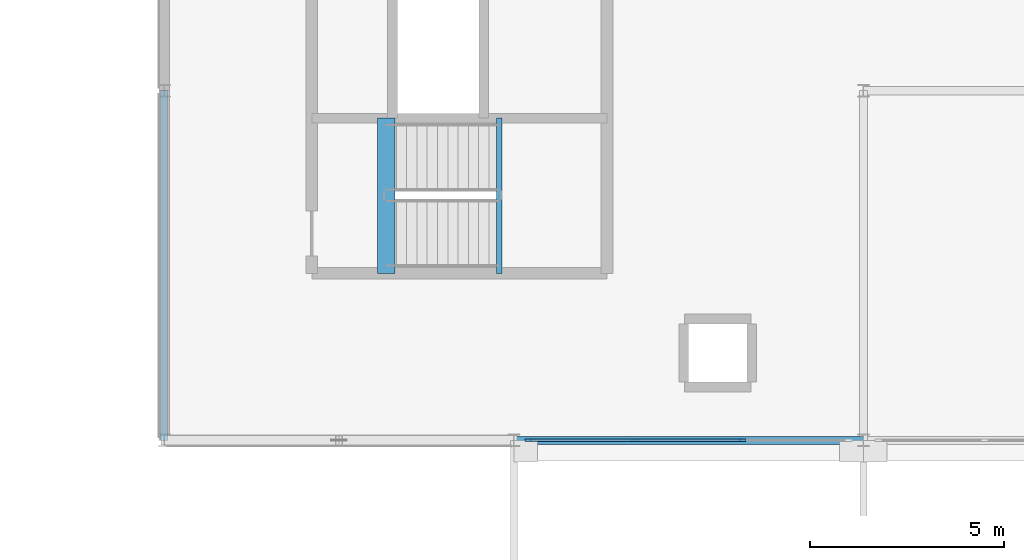
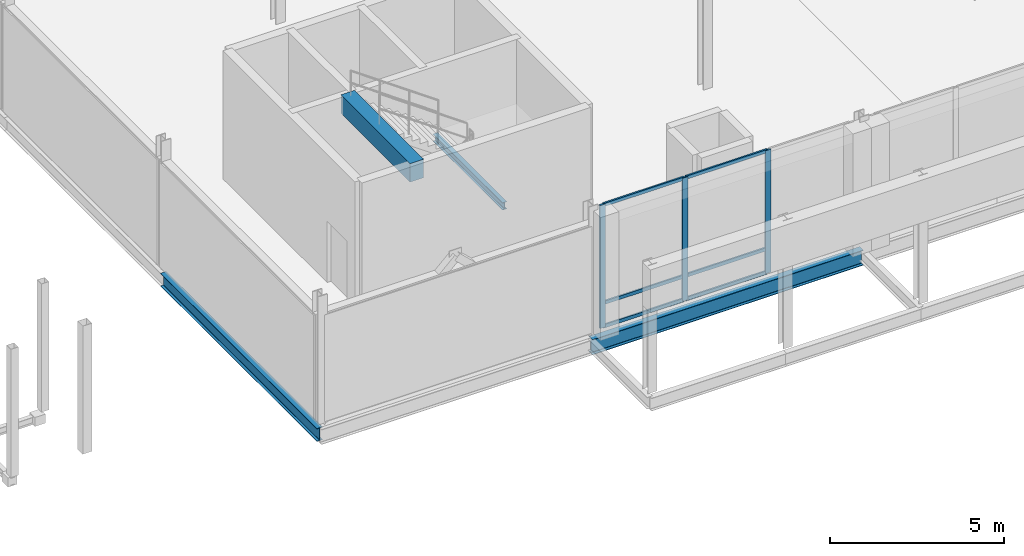
# One storey, part 26 of 130: 9 members, 4 beams, 1 element without a shape of its own.
"""IFC4 building model written with IfcOpenShell, lengths in metres."""

from ifc_helpers import new_model, si_unit, direction, frame, origin, origin_2d, place, context, subcontext, project, spatial, rectangle, i_section, extrude, material, material_profile, profile_set, type_object, element, aggregate, save


model = new_model("IFC4")

# Units and contexts
model_context = context("Model", 3, precision=1e-05, world=origin(), true_north=direction((0.0, 1.0)))
body_context = subcontext(model_context, "Body", "Model", "MODEL_VIEW")
ifc_project = project(units=[si_unit("LENGTHUNIT", "METRE"), si_unit("AREAUNIT", "SQUARE_METRE"), si_unit("VOLUMEUNIT", "CUBIC_METRE"), si_unit("PLANEANGLEUNIT", "RADIAN"), si_unit("MASSUNIT", "GRAM", prefix="KILO"), si_unit("THERMODYNAMICTEMPERATUREUNIT", "KELVIN"), si_unit("POWERUNIT", "WATT")], contexts=[model_context])

# Site, building, storey
site_placement = place(None, origin())
site = spatial("IfcSite", under=ifc_project, at=site_placement, CompositionType="ELEMENT")
building_placement = place(site_placement, origin())
building = spatial("IfcBuilding", under=site, at=building_placement, Name="Tallowbark Science Centre", CompositionType="ELEMENT")
storey_placement = place(building_placement, frame((0.0, 0.0, 5.39990234375)))
storey = spatial("IfcBuildingStorey", under=building, at=storey_placement, Name="L01", CompositionType="ELEMENT", Elevation=5.39990234375)

# Beam
ifc_material_1 = material(Name="Concrete Grade N40 (40 MPa)", Category="concrete")
ifc_material_profile_1 = material_profile(ifc_material_1, rectangle(XDim=0.449951171875, YDim=0.64990234375, at=origin_2d()), Name="RC450x650")
ifc_profile_set_1 = profile_set([ifc_material_profile_1], Name="Concrete Grade N40 (40 MPa)")
beam_type_1 = type_object("IfcBeamType", Name="BM-GB2-N40", PredefinedType="BEAM", material=ifc_profile_set_1)
beam_1_placement = place(storey_placement, frame((118.2099609375, 4.300048828125, 4.175048828125), z_axis=(0.0, 1.0, 0.0), x_axis=(-1.0, 0.0, 0.0)))
element("IfcBeam", 1, at=beam_1_placement, inside=storey, type_object=beam_type_1, Name="Stair ST-06 Landing Nosing Beam L01", PredefinedType="BEAM", context=body_context, shape_type="SweptSolid", body=[
    extrude(rectangle(XDim=0.449951171875, YDim=0.64990234375, at=origin_2d()), origin(), (0.0, 0.0, 1.0), 3.994873046875),
])

# Curtain wall, members
ifc_material_2 = material(Name="Unitised Thermally Broken Aluminium and Low-E Double Glazing", Category="aluminium")
curtain_wall_type = type_object("IfcCurtainWallType", Name="CW-SYS-FACADE", PredefinedType="NOTDEFINED", material=ifc_material_2)
curtain_wall_placement = place(storey_placement, origin())
curtain_wall = element("IfcCurtainWall", 2, at=curtain_wall_placement, inside=storey, type_object=curtain_wall_type, Name="Unitised Curtain Wall THT-POR-S-1 CW-L01-002", PredefinedType="NOTDEFINED")
ifc_material_3 = material(Name="Anodised Architectural Aluminium Alloy 6063-T6", Category="aluminium")
ifc_material_profile_2 = material_profile(ifc_material_3, rectangle(XDim=0.06494140625, YDim=0.179931640625, at=origin_2d()), Name="ALU65x180")
ifc_profile_set_2 = profile_set([ifc_material_profile_2], Name="Anodised Architectural Aluminium Alloy 6063-T6")
member_type_1 = type_object("IfcMemberType", Name="CWM-MUL-220", PredefinedType="MULLION", material=ifc_profile_set_2)
member_1_placement = place(storey_placement, frame((121.882568359375, 0.0, 0.0), z_axis=(0.0, 0.0, 1.0), x_axis=(0.0, 1.0, 0.0)))
member_1 = element("IfcMember", 3, at=member_1_placement, type_object=member_type_1, Name="CW-01 mullion 1", PredefinedType="MULLION", context=body_context, shape_type="SweptSolid", body=[
    extrude(rectangle(XDim=0.06494140625, YDim=0.179931640625, at=origin_2d()), origin(), (0.0, 0.0, 1.0), 4.320068359375),
])
member_2_placement = place(storey_placement, frame((124.61669921875, 0.0, 0.0), z_axis=(0.0, 0.0, 1.0), x_axis=(0.0, 1.0, 0.0)))
member_2 = element("IfcMember", 4, at=member_2_placement, type_object=member_type_1, Name="CW-01 mullion 2", PredefinedType="MULLION", context=body_context, shape_type="SweptSolid", body=[
    extrude(rectangle(XDim=0.06494140625, YDim=0.179931640625, at=origin_2d()), origin(), (0.0, 0.0, 1.0), 4.320068359375),
])
member_3_placement = place(storey_placement, frame((127.38330078125, 0.0, 0.0), z_axis=(0.0, 0.0, 1.0), x_axis=(0.0, 1.0, 0.0)))
member_3 = element("IfcMember", 5, at=member_3_placement, type_object=member_type_1, Name="CW-01 mullion 3", PredefinedType="MULLION", context=body_context, shape_type="SweptSolid", body=[
    extrude(rectangle(XDim=0.06494140625, YDim=0.179931640625, at=origin_2d()), origin(), (0.0, 0.0, 1.0), 4.320068359375),
])
ifc_material_profile_3 = material_profile(ifc_material_3, rectangle(XDim=0.054931640625, YDim=0.1201171875, at=origin_2d()), Name="ALU55x120")
ifc_profile_set_3 = profile_set([ifc_material_profile_3], Name="Anodised Architectural Aluminium Alloy 6063-T6")
member_type_2 = type_object("IfcMemberType", Name="CWM-TRN-150", PredefinedType="USERDEFINED", material=ifc_profile_set_3)
member_4_placement = place(storey_placement, frame((121.9150390625, 0.0, 0.027587890625), z_axis=(1.0, 0.0, 0.0), x_axis=(0.0, 1.0, 0.0)))
member_4 = element("IfcMember", 6, at=member_4_placement, type_object=member_type_2, Name="CW-01 transom 1.1", ObjectType="TRANSOM", PredefinedType="USERDEFINED", context=body_context, shape_type="SweptSolid", body=[
    extrude(rectangle(XDim=0.054931640625, YDim=0.1201171875, at=origin_2d()), origin(), (0.0, 0.0, 1.0), 2.669189453125),
])
member_5_placement = place(storey_placement, frame((121.9150390625, 0.0, 0.85009765625), z_axis=(1.0, 0.0, 0.0), x_axis=(0.0, 1.0, 0.0)))
member_5 = element("IfcMember", 7, at=member_5_placement, type_object=member_type_2, Name="CW-01 transom 1.2", ObjectType="TRANSOM", PredefinedType="USERDEFINED", context=body_context, shape_type="SweptSolid", body=[
    extrude(rectangle(XDim=0.054931640625, YDim=0.1201171875, at=origin_2d()), origin(), (0.0, 0.0, 1.0), 2.669189453125),
])
member_6_placement = place(storey_placement, frame((121.9150390625, 0.0, 4.29248046875), z_axis=(1.0, 0.0, 0.0), x_axis=(0.0, 1.0, 0.0)))
member_6 = element("IfcMember", 8, at=member_6_placement, type_object=member_type_2, Name="CW-01 transom 1.3", ObjectType="TRANSOM", PredefinedType="USERDEFINED", context=body_context, shape_type="SweptSolid", body=[
    extrude(rectangle(XDim=0.054931640625, YDim=0.1201171875, at=origin_2d()), origin(), (0.0, 0.0, 1.0), 2.669189453125),
])
member_7_placement = place(storey_placement, frame((124.649169921875, 0.0, 0.027587890625), z_axis=(1.0, 0.0, 0.0), x_axis=(0.0, 1.0, 0.0)))
member_7 = element("IfcMember", 9, at=member_7_placement, type_object=member_type_2, Name="CW-01 transom 2.1", ObjectType="TRANSOM", PredefinedType="USERDEFINED", context=body_context, shape_type="SweptSolid", body=[
    extrude(rectangle(XDim=0.054931640625, YDim=0.1201171875, at=origin_2d()), origin(), (0.0, 0.0, 1.0), 2.70166015625),
])
member_8_placement = place(storey_placement, frame((124.649169921875, 0.0, 0.85009765625), z_axis=(1.0, 0.0, 0.0), x_axis=(0.0, 1.0, 0.0)))
member_8 = element("IfcMember", 10, at=member_8_placement, type_object=member_type_2, Name="CW-01 transom 2.2", ObjectType="TRANSOM", PredefinedType="USERDEFINED", context=body_context, shape_type="SweptSolid", body=[
    extrude(rectangle(XDim=0.054931640625, YDim=0.1201171875, at=origin_2d()), origin(), (0.0, 0.0, 1.0), 2.70166015625),
])
member_9_placement = place(storey_placement, frame((124.649169921875, 0.0, 4.29248046875), z_axis=(1.0, 0.0, 0.0), x_axis=(0.0, 1.0, 0.0)))
member_9 = element("IfcMember", 11, at=member_9_placement, type_object=member_type_2, Name="CW-01 transom 2.3", ObjectType="TRANSOM", PredefinedType="USERDEFINED", context=body_context, shape_type="SweptSolid", body=[
    extrude(rectangle(XDim=0.054931640625, YDim=0.1201171875, at=origin_2d()), origin(), (0.0, 0.0, 1.0), 2.70166015625),
])
aggregate(curtain_wall, [member_1, member_2, member_3, member_4, member_5, member_6, member_7, member_8, member_9])

# Beams
ifc_material_4 = material(Name="Structural Steel Grade 300PLUS (300 MPa)", Category="steel")
ifc_material_profile_4 = material_profile(ifc_material_4, i_section(OverallWidth=0.146484375, OverallDepth=0.256103515625, WebThickness=0.00634765625, FlangeThickness=0.010986328125, FilletRadius=0.0087890625, at=origin_2d()), Name="250UB37.3")
ifc_profile_set_4 = profile_set([ifc_material_profile_4], Name="Structural Steel Grade 300PLUS (300 MPa)")
beam_type_2 = type_object("IfcBeamType", Name="JST-UB250", PredefinedType="JOIST", material=ifc_profile_set_4)
beam_2_placement = place(storey_placement, frame((121.125, 4.300048828125, 1.922119140625), z_axis=(0.0, 1.0, 0.0), x_axis=(-1.0, 0.0, 0.0)))
element("IfcBeam", 12, at=beam_2_placement, inside=storey, type_object=beam_type_2, Name="Stair ST-06 Half-Landing Trimmer L01", PredefinedType="JOIST", context=body_context, shape_type="SweptSolid", body=[
    extrude(i_section(OverallWidth=0.146484375, OverallDepth=0.256103515625, WebThickness=0.00634765625, FlangeThickness=0.010986328125, FilletRadius=0.0087890625, at=origin_2d()), origin(), (0.0, 0.0, 1.0), 3.994873046875),
])
ifc_material_profile_5 = material_profile(ifc_material_4, i_section(OverallWidth=0.208984375, OverallDepth=0.532958984375, WebThickness=0.01025390625, FlangeThickness=0.015625, FilletRadius=0.013916015625, at=origin_2d()), Name="530UB92.4")
ifc_profile_set_5 = profile_set([ifc_material_profile_5], Name="Structural Steel Grade 300PLUS (300 MPa)")
beam_type_3 = type_object("IfcBeamType", Name="LNT-UB530", PredefinedType="LINTEL", material=ifc_profile_set_5)
beam_3_placement = place(storey_placement, frame((121.5, 0.0, -0.511474609375), z_axis=(1.0, 0.0, 0.0), x_axis=(0.0, 1.0, 0.0)))
element("IfcBeam", 13, at=beam_3_placement, inside=storey, type_object=beam_type_3, Name="Primary Girder GRDX-L01-1215-1305-0", PredefinedType="LINTEL", context=body_context, shape_type="SweptSolid", body=[
    extrude(i_section(OverallWidth=0.208984375, OverallDepth=0.532958984375, WebThickness=0.01025390625, FlangeThickness=0.015625, FilletRadius=0.013916015625, at=origin_2d()), origin(), (0.0, 0.0, 1.0), 9.0),
])
ifc_material_profile_6 = material_profile(ifc_material_4, i_section(OverallWidth=0.18994140625, OverallDepth=0.453857421875, WebThickness=0.008544921875, FlangeThickness=0.0126953125, FilletRadius=0.011474609375, at=origin_2d()), Name="460UB67.1")
ifc_profile_set_6 = profile_set([ifc_material_profile_6], Name="Structural Steel Grade 300PLUS (300 MPa)")
beam_type_4 = type_object("IfcBeamType", Name="SPN-UB460", PredefinedType="SPANDREL", material=ifc_profile_set_6)
beam_4_placement = place(storey_placement, frame((112.5, 0.0, -0.471923828125), z_axis=(0.0, 1.0, 0.0), x_axis=(-1.0, 0.0, 0.0)))
element("IfcBeam", 14, at=beam_4_placement, inside=storey, type_object=beam_type_4, Name="Primary Girder GRDY-L01-1125-0-90", PredefinedType="SPANDREL", context=body_context, shape_type="SweptSolid", body=[
    extrude(i_section(OverallWidth=0.18994140625, OverallDepth=0.453857421875, WebThickness=0.008544921875, FlangeThickness=0.0126953125, FilletRadius=0.011474609375, at=origin_2d()), origin(), (0.0, 0.0, 1.0), 9.0),
])

save(model, "model.ifc")
